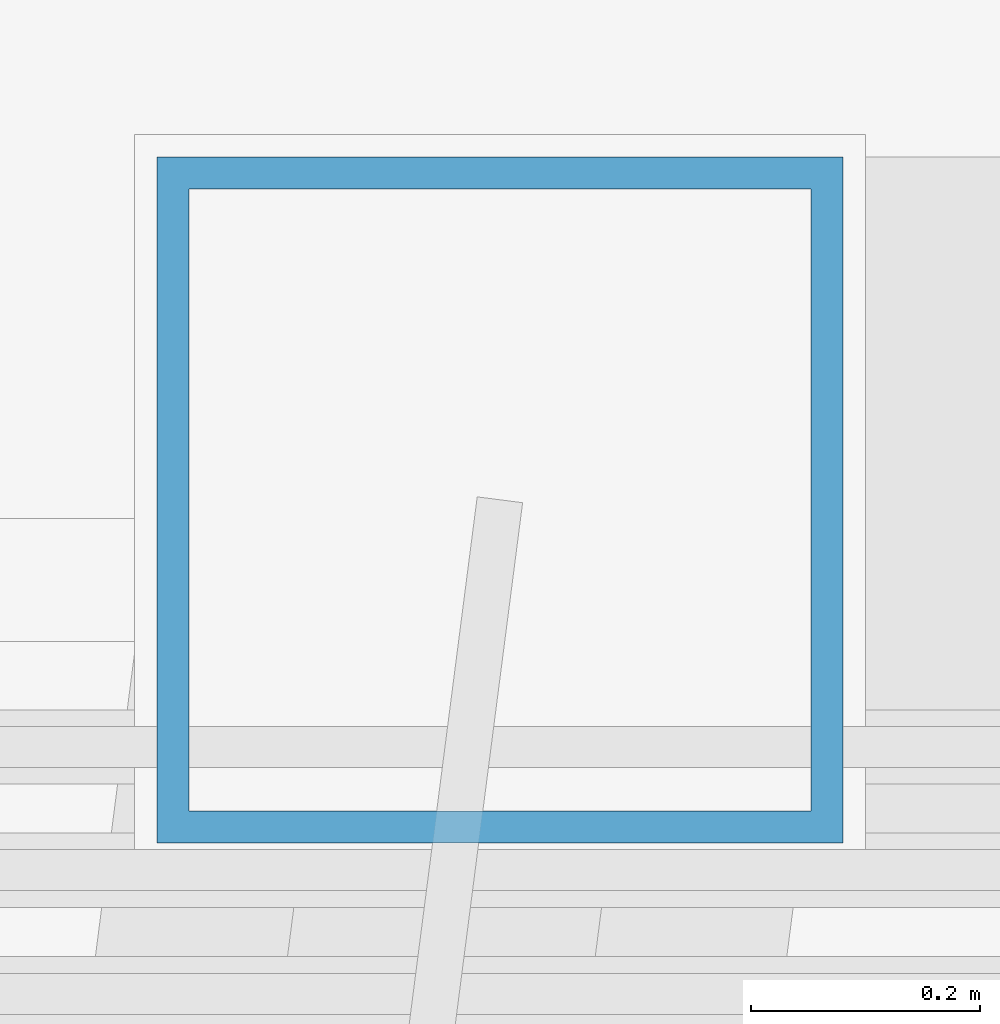
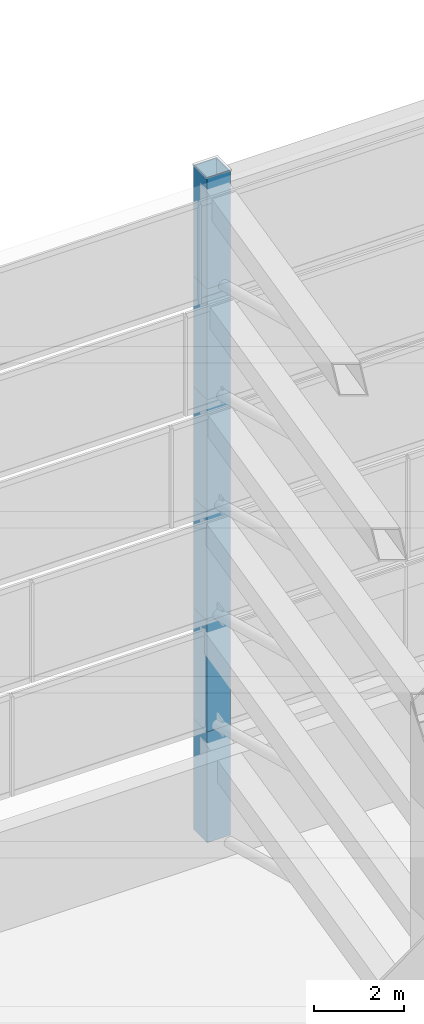
# One storey, part 15 of 29: 6 members.
"""IFC4 building model written with IfcOpenShell, lengths in metres."""

from ifc_helpers import new_model, si_unit, direction, frame, origin, origin_2d, place, context, subcontext, project, spatial, hollow_rectangle, extrude, material, material_profile, profile_set, type_object, element, save


model = new_model("IFC4")

# Units and contexts
model_context = context("Model", 3, precision=1e-05, world=origin(), true_north=direction((0.0, 1.0)))
body_context = subcontext(model_context, "Body", "Model", "MODEL_VIEW")
ifc_project = project(units=[si_unit("LENGTHUNIT", "METRE"), si_unit("AREAUNIT", "SQUARE_METRE"), si_unit("VOLUMEUNIT", "CUBIC_METRE"), si_unit("PLANEANGLEUNIT", "RADIAN"), si_unit("MASSUNIT", "GRAM", prefix="KILO")], contexts=[model_context])

# Site, building, storey
site_placement = place(None, origin())
site = spatial("IfcSite", under=ifc_project, at=site_placement, CompositionType="ELEMENT")
building_placement = place(site_placement, origin())
building = spatial("IfcBuilding", under=site, at=building_placement, Name="Saevonmaru Cultural Tower", CompositionType="ELEMENT")
storey_placement = place(building_placement, frame((0.0, 0.0, 327.60009765625)))
storey = spatial("IfcBuildingStorey", under=building, at=storey_placement, Name="RF", CompositionType="ELEMENT", Elevation=327.60009765625)

# Members
ifc_material = material(Name="Steel SM420", Category="steel")
ifc_material_profile = material_profile(ifc_material, hollow_rectangle(XDim=0.60009765625, YDim=0.60009765625, WallThickness=0.028076171875, at=origin_2d()), Name="BOX-600x600x28")
ifc_profile_set = profile_set([ifc_material_profile], Name="Steel SM420")
member_type = type_object("IfcMemberType", Name="CROWN-FRAME-POST", PredefinedType="POST", material=ifc_profile_set)
for number, where, z_axis, x_axis, name in (
    (1, (25.199951171875, 54.800048828125, 0.0), (0.0, 0.0, 1.0), (1.0, 0.0, 0.0), "RF Stepped Ziggurat CROWN FRAME Post T1-4"),
    (2, (25.199951171875, 54.800048828125, 3.0), (0.0, 0.0, 1.0), (1.0, 0.0, 0.0), "RF Stepped Ziggurat CROWN FRAME Post T2-4"),
    (3, (25.199951171875, 54.800048828125, 6.0), (0.0, 0.0, 1.0), (1.0, 0.0, 0.0), "RF Stepped Ziggurat CROWN FRAME Post T3-4"),
    (4, (25.199951171875, 54.800048828125, 9.0), (0.0, 0.0, 1.0), (1.0, 0.0, 0.0), "RF Stepped Ziggurat CROWN FRAME Post T4-4"),
    (5, (25.199951171875, 54.800048828125, 12.0), (0.0, 0.0, 1.0), (1.0, 0.0, 0.0), "RF Stepped Ziggurat CROWN FRAME Post T5-4"),
    (6, (25.199951171875, 54.800048828125, 15.0), (0.0, 0.0, 1.0), (1.0, 0.0, 0.0), "RF Stepped Ziggurat CROWN FRAME Post T6-4"),
):
    element("IfcMember", number, at=place(storey_placement, frame(where, z_axis=z_axis, x_axis=x_axis)), inside=storey, type_object=member_type, Name=name, PredefinedType="POST", context=body_context, shape_type="SweptSolid", body=[
        extrude(hollow_rectangle(XDim=0.60009765625, YDim=0.60009765625, WallThickness=0.028076171875, at=origin_2d()), origin(), (0.0, 0.0, 1.0), 3.0),
    ])

save(model, "model.ifc")
